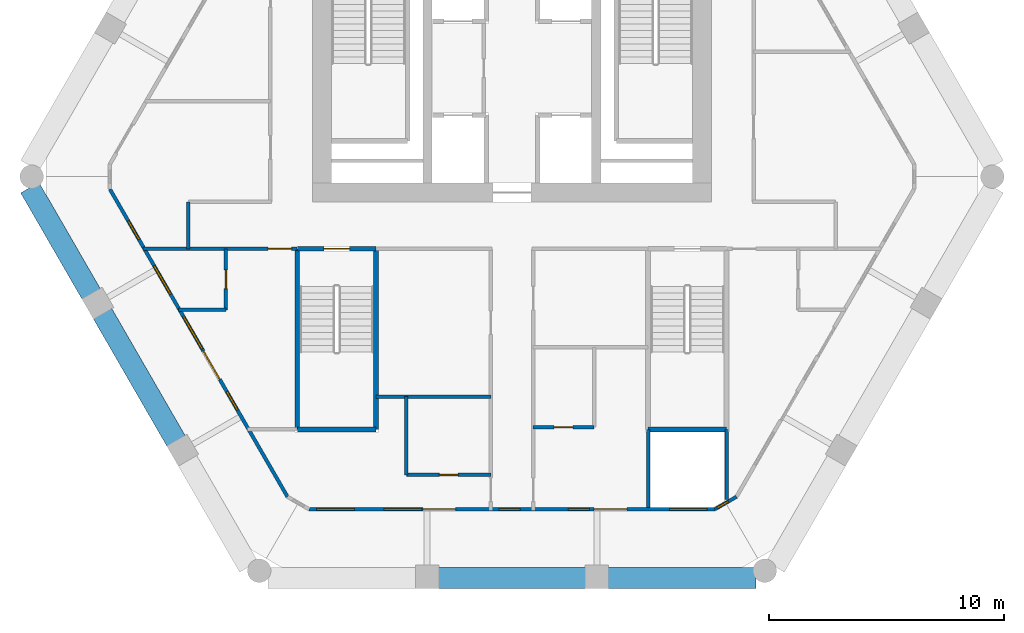
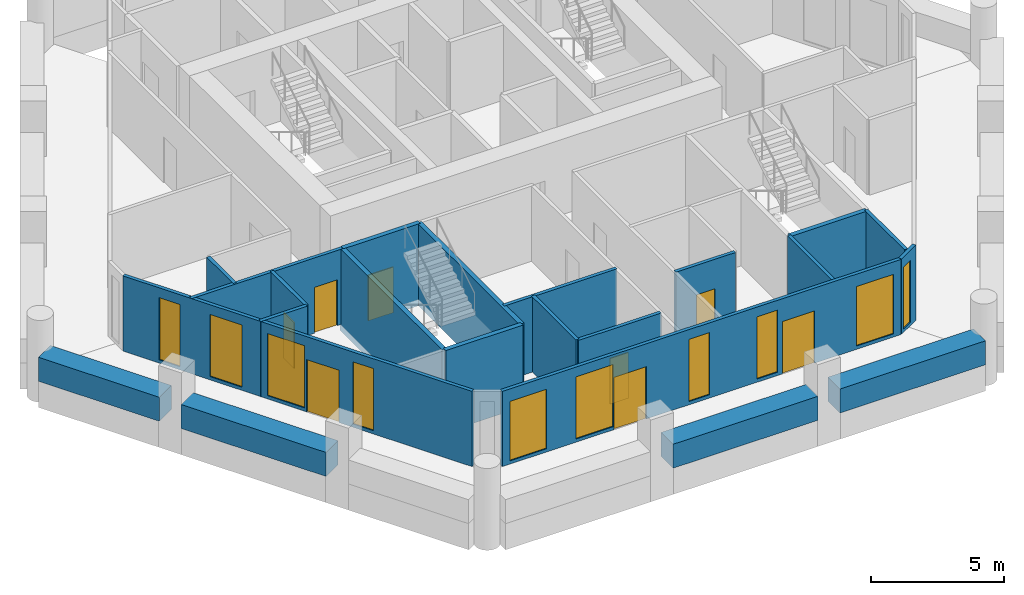
# One storey, part 2 of 7: 22 walls, 10 windows, 8 doors, 18 openings.
"""IFC4 building model written with IfcOpenShell, lengths in metres."""

from ifc_helpers import new_model, si_unit, direction, frame, frame_2d, origin, place, context, subcontext, project, spatial, rectangle, extrude, material, layer, layer_set, type_object, element, fill, save


model = new_model("IFC4")

# Units and contexts
model_context = context("Model", 3, precision=1e-05, world=origin(), true_north=direction((0.0, 1.0)))
body_context = subcontext(model_context, "Body", "Model", "MODEL_VIEW")
ifc_project = project(units=[si_unit("LENGTHUNIT", "METRE"), si_unit("AREAUNIT", "SQUARE_METRE"), si_unit("VOLUMEUNIT", "CUBIC_METRE"), si_unit("PLANEANGLEUNIT", "RADIAN"), si_unit("MASSUNIT", "GRAM", prefix="KILO")], contexts=[model_context])

# Site, building, storey
site_placement = place(None, origin())
site = spatial("IfcSite", under=ifc_project, at=site_placement, CompositionType="ELEMENT")
building_placement = place(site_placement, origin())
building = spatial("IfcBuilding", under=site, at=building_placement, Name="Ostrander Bayou Hotel Tower", CompositionType="ELEMENT")
storey_placement = place(building_placement, frame((0.0, 0.0, 179.5)))
storey = spatial("IfcBuildingStorey", under=building, at=storey_placement, Name="L44", CompositionType="ELEMENT", Elevation=179.5)

# Wall, openings, door, windows
ifc_material_1 = material(Name="Aluminium framed insulated wall", Category="aluminium")
ifc_layer_1 = layer(ifc_material_1, 0.14990234375)
ifc_layer_set_1 = layer_set([ifc_layer_1], Name="GW1 glass-line wall 150 mm")
wall_type_1 = type_object("IfcWallType", Name="GW1 glass-line wall 150 mm", PredefinedType="SOLIDWALL", material=ifc_layer_set_1)
wall_1_placement = place(storey_placement, frame((-17.144775390625, -1.154296875, 0.0), z_axis=(0.0, 0.0, 1.0), x_axis=(0.500005248668, -0.866022373443, 0.0)))
wall_1 = element("IfcWall", 1, at=wall_1_placement, inside=storey, type_object=wall_type_1, Name="GW1 L44 SW 1", PredefinedType="SOLIDWALL", context=body_context, shape_type="SweptSolid", body=[
    extrude(rectangle(XDim=15.145263671875, YDim=0.14990234375, at=frame_2d((7.57275390625, 0.0))), origin(), (0.0, 0.0, 1.0), 3.449951171875),
])
opening_1_placement = place(wall_1_placement, frame((1.57275390625, 0.0, 0.14990234375)))
opening_1 = element("IfcOpeningElement", 2, at=opening_1_placement, cuts=wall_1, Name="Opening W17", PredefinedType="OPENING", context=body_context, shape_type="SweptSolid", body=[
    extrude(rectangle(XDim=0.89990234375, YDim=2.85009765625, at=frame_2d((0.449951171875, 1.425048828125))), frame((0.0, 0.074951171875, 0.0), z_axis=(0.0, -1.0, 0.0), x_axis=(1.0, 0.0, 0.0)), (0.0, 0.0, 1.0), 0.14990234375),
])
opening_2_placement = place(wall_1_placement, frame((3.772705078125, 0.0, 0.14990234375)))
opening_2 = element("IfcOpeningElement", 3, at=opening_2_placement, cuts=wall_1, Name="Opening W13", PredefinedType="OPENING", context=body_context, shape_type="SweptSolid", body=[
    extrude(rectangle(XDim=1.39990234375, YDim=2.85009765625, at=frame_2d((0.699951171875, 1.425048828125))), frame((0.0, 0.074951171875, 0.0), z_axis=(0.0, -1.0, 0.0), x_axis=(1.0, 0.0, 0.0)), (0.0, 0.0, 1.0), 0.14990234375),
])
opening_3_placement = place(wall_1_placement, frame((6.265625, 0.0, 0.14990234375)))
opening_3 = element("IfcOpeningElement", 4, at=opening_3_placement, cuts=wall_1, Name="Opening W3", PredefinedType="OPENING", context=body_context, shape_type="SweptSolid", body=[
    extrude(rectangle(XDim=1.60009765625, YDim=2.85009765625, at=frame_2d((0.800048828125, 1.425048828125))), frame((0.0, 0.074951171875, 0.0), z_axis=(0.0, -1.0, 0.0), x_axis=(1.0, 0.0, 0.0)), (0.0, 0.0, 1.0), 0.14990234375),
])
opening_4_placement = place(wall_1_placement, frame((7.97265625, 0.0, 0.0)))
opening_4 = element("IfcOpeningElement", 5, at=opening_4_placement, cuts=wall_1, Name="Opening T44-801", PredefinedType="OPENING", context=body_context, shape_type="SweptSolid", body=[
    extrude(rectangle(XDim=1.39990234375, YDim=2.39990234375, at=frame_2d((0.699951171875, 1.199951171875))), frame((0.0, 0.074951171875, 0.0), z_axis=(0.0, -1.0, 0.0), x_axis=(1.0, 0.0, 0.0)), (0.0, 0.0, 1.0), 0.14990234375),
])
opening_5_placement = place(wall_1_placement, frame((9.97265625, 0.0, 0.14990234375)))
opening_5 = element("IfcOpeningElement", 6, at=opening_5_placement, cuts=wall_1, Name="Opening W17", PredefinedType="OPENING", context=body_context, shape_type="SweptSolid", body=[
    extrude(rectangle(XDim=0.89990234375, YDim=2.85009765625, at=frame_2d((0.449951171875, 1.425048828125))), frame((0.0, 0.074951171875, 0.0), z_axis=(0.0, -1.0, 0.0), x_axis=(1.0, 0.0, 0.0)), (0.0, 0.0, 1.0), 0.14990234375),
])
ifc_material_2 = material(Name="Aluminium and clear glass", Category="aluminium")
door_type_1 = type_object("IfcDoorType", Name="SD3 sliding glass door 1400 mm, zone 3", OperationType="SLIDING_TO_LEFT", PredefinedType="DOOR", material=ifc_material_2)
door_1_placement = place(opening_4_placement, origin())
door_1 = element("IfcDoor", 7, at=door_1_placement, inside=storey, type_object=door_type_1, Name="SD3 L44 SW 2", OperationType="SLIDING_TO_RIGHT", OverallHeight=2.39990234375, OverallWidth=1.39990234375, PredefinedType="DOOR", context=body_context, shape_type="SweptSolid", body=[
    extrude(rectangle(XDim=1.39990234375, YDim=2.39990234375, at=frame_2d((0.699951171875, 1.199951171875))), frame((0.0, 0.02490234375, 0.0), z_axis=(0.0, -1.0, 0.0), x_axis=(1.0, 0.0, 0.0)), (0.0, 0.0, 1.0), 0.050048828125),
])
fill(opening_4, door_1)
ifc_material_3 = material(Name="Aluminium and clear glass", Category="aluminium")
window_type_1 = type_object("IfcWindowType", Name="W13 fixed window 1400 mm, bath bay, zone 3", PartitioningType="SINGLE_PANEL", PredefinedType="WINDOW", material=ifc_material_3)
window_1_placement = place(opening_2_placement, origin())
window_1 = element("IfcWindow", 8, at=window_1_placement, inside=storey, type_object=window_type_1, Name="W13 L44 SW 1", OverallHeight=2.85009765625, OverallWidth=1.39990234375, PartitioningType="SINGLE_PANEL", PredefinedType="WINDOW", context=body_context, shape_type="SweptSolid", body=[
    extrude(rectangle(XDim=1.39990234375, YDim=2.85009765625, at=frame_2d((0.699951171875, 1.425048828125))), frame((0.0, 0.030029296875, 0.0), z_axis=(0.0, -1.0, 0.0), x_axis=(1.0, 0.0, 0.0)), (0.0, 0.0, 1.0), 0.06005859375),
])
fill(opening_2, window_1)
ifc_material_4 = material(Name="Aluminium and clear glass", Category="aluminium")
window_type_2 = type_object("IfcWindowType", Name="W17 window 900 mm, zone 3", PartitioningType="SINGLE_PANEL", PredefinedType="WINDOW", material=ifc_material_4)
window_2_placement = place(opening_1_placement, origin())
window_2 = element("IfcWindow", 9, at=window_2_placement, inside=storey, type_object=window_type_2, Name="W17 L44 SW 1", OverallHeight=2.85009765625, OverallWidth=0.89990234375, PartitioningType="SINGLE_PANEL", PredefinedType="WINDOW", context=body_context, shape_type="SweptSolid", body=[
    extrude(rectangle(XDim=0.89990234375, YDim=2.85009765625, at=frame_2d((0.449951171875, 1.425048828125))), frame((0.0, 0.030029296875, 0.0), z_axis=(0.0, -1.0, 0.0), x_axis=(1.0, 0.0, 0.0)), (0.0, 0.0, 1.0), 0.06005859375),
])
fill(opening_1, window_2)
window_3_placement = place(opening_5_placement, origin())
window_3 = element("IfcWindow", 10, at=window_3_placement, inside=storey, type_object=window_type_2, Name="W17 L44 SW 3", OverallHeight=2.85009765625, OverallWidth=0.89990234375, PartitioningType="SINGLE_PANEL", PredefinedType="WINDOW", context=body_context, shape_type="SweptSolid", body=[
    extrude(rectangle(XDim=0.89990234375, YDim=2.85009765625, at=frame_2d((0.449951171875, 1.425048828125))), frame((0.0, 0.030029296875, 0.0), z_axis=(0.0, -1.0, 0.0), x_axis=(1.0, 0.0, 0.0)), (0.0, 0.0, 1.0), 0.06005859375),
])
fill(opening_5, window_3)
ifc_material_5 = material(Name="Aluminium and clear glass", Category="aluminium")
window_type_3 = type_object("IfcWindowType", Name="W3 fixed window 1600 mm, zone 3", PartitioningType="SINGLE_PANEL", PredefinedType="WINDOW", material=ifc_material_5)
window_4_placement = place(opening_3_placement, origin())
window_4 = element("IfcWindow", 11, at=window_4_placement, inside=storey, type_object=window_type_3, Name="W3 L44 SW 2", OverallHeight=2.85009765625, OverallWidth=1.60009765625, PartitioningType="SINGLE_PANEL", PredefinedType="WINDOW", context=body_context, shape_type="SweptSolid", body=[
    extrude(rectangle(XDim=1.60009765625, YDim=2.85009765625, at=frame_2d((0.800048828125, 1.425048828125))), frame((0.0, 0.030029296875, 0.0), z_axis=(0.0, -1.0, 0.0), x_axis=(1.0, 0.0, 0.0)), (0.0, 0.0, 1.0), 0.06005859375),
])
fill(opening_3, window_4)

# Wall, openings, doors, windows
wall_2_placement = place(storey_placement, frame((-8.64990234375, -14.802978515625, 0.0), z_axis=(0.0, 0.0, 1.0), x_axis=(1.0, 0.0, 0.0)))
wall_2 = element("IfcWall", 12, at=wall_2_placement, inside=storey, type_object=wall_type_1, Name="GW1 L44 S 1", PredefinedType="SOLIDWALL", context=body_context, shape_type="SweptSolid", body=[
    extrude(rectangle(XDim=17.2998046875, YDim=0.14990234375, at=frame_2d((8.64990234375, 0.0))), origin(), (0.0, 0.0, 1.0), 3.449951171875),
])
opening_6_placement = place(wall_2_placement, frame((3.19970703125, 0.0, 0.14990234375)))
opening_6 = element("IfcOpeningElement", 13, at=opening_6_placement, cuts=wall_2, Name="Opening W3", PredefinedType="OPENING", context=body_context, shape_type="SweptSolid", body=[
    extrude(rectangle(XDim=1.60009765625, YDim=2.85009765625, at=frame_2d((0.800048828125, 1.425048828125))), frame((0.0, 0.074951171875, 0.0), z_axis=(0.0, -1.0, 0.0), x_axis=(1.0, 0.0, 0.0)), (0.0, 0.0, 1.0), 0.14990234375),
])
opening_7_placement = place(wall_2_placement, frame((4.849853515625, 0.0, 0.0)))
opening_7 = element("IfcOpeningElement", 14, at=opening_7_placement, cuts=wall_2, Name="Opening T44-802", PredefinedType="OPENING", context=body_context, shape_type="SweptSolid", body=[
    extrude(rectangle(XDim=1.39990234375, YDim=2.39990234375, at=frame_2d((0.699951171875, 1.199951171875))), frame((0.0, 0.074951171875, 0.0), z_axis=(0.0, -1.0, 0.0), x_axis=(1.0, 0.0, 0.0)), (0.0, 0.0, 1.0), 0.14990234375),
])
opening_8_placement = place(wall_2_placement, frame((8.099853515625, 0.0, 0.14990234375)))
opening_8 = element("IfcOpeningElement", 15, at=opening_8_placement, cuts=wall_2, Name="Opening W17", PredefinedType="OPENING", context=body_context, shape_type="SweptSolid", body=[
    extrude(rectangle(XDim=0.89990234375, YDim=2.85009765625, at=frame_2d((0.449951171875, 1.425048828125))), frame((0.0, 0.074951171875, 0.0), z_axis=(0.0, -1.0, 0.0), x_axis=(1.0, 0.0, 0.0)), (0.0, 0.0, 1.0), 0.14990234375),
])
opening_9_placement = place(wall_2_placement, frame((11.0498046875, 0.0, 0.14990234375)))
opening_9 = element("IfcOpeningElement", 16, at=opening_9_placement, cuts=wall_2, Name="Opening W17", PredefinedType="OPENING", context=body_context, shape_type="SweptSolid", body=[
    extrude(rectangle(XDim=0.89990234375, YDim=2.85009765625, at=frame_2d((0.449951171875, 1.425048828125))), frame((0.0, 0.074951171875, 0.0), z_axis=(0.0, -1.0, 0.0), x_axis=(1.0, 0.0, 0.0)), (0.0, 0.0, 1.0), 0.14990234375),
])
opening_10_placement = place(wall_2_placement, frame((12.14990234375, 0.0, 0.0)))
opening_10 = element("IfcOpeningElement", 17, at=opening_10_placement, cuts=wall_2, Name="Opening T44-803", PredefinedType="OPENING", context=body_context, shape_type="SweptSolid", body=[
    extrude(rectangle(XDim=1.39990234375, YDim=2.39990234375, at=frame_2d((0.699951171875, 1.199951171875))), frame((0.0, 0.074951171875, 0.0), z_axis=(0.0, -1.0, 0.0), x_axis=(1.0, 0.0, 0.0)), (0.0, 0.0, 1.0), 0.14990234375),
])
opening_11_placement = place(wall_2_placement, frame((0.324951171875, 0.0, 0.14990234375)))
opening_11 = element("IfcOpeningElement", 18, at=opening_11_placement, cuts=wall_2, Name="Opening W3", PredefinedType="OPENING", context=body_context, shape_type="SweptSolid", body=[
    extrude(rectangle(XDim=1.60009765625, YDim=2.72998046875, at=frame_2d((0.800048828125, 1.364990234375))), frame((0.0, 0.074951171875, 0.0), z_axis=(0.0, -1.0, 0.0), x_axis=(1.0, 0.0, 0.0)), (0.0, 0.0, 1.0), 0.14990234375),
])
opening_12_placement = place(wall_2_placement, frame((15.374755859375, 0.0, 0.14990234375)))
opening_12 = element("IfcOpeningElement", 19, at=opening_12_placement, cuts=wall_2, Name="Opening W3", PredefinedType="OPENING", context=body_context, shape_type="SweptSolid", body=[
    extrude(rectangle(XDim=1.60009765625, YDim=2.72998046875, at=frame_2d((0.800048828125, 1.364990234375))), frame((0.0, 0.074951171875, 0.0), z_axis=(0.0, -1.0, 0.0), x_axis=(1.0, 0.0, 0.0)), (0.0, 0.0, 1.0), 0.14990234375),
])
door_2_placement = place(opening_7_placement, origin())
door_2 = element("IfcDoor", 20, at=door_2_placement, inside=storey, type_object=door_type_1, Name="SD3 L44 S 1", OperationType="SLIDING_TO_LEFT", OverallHeight=2.39990234375, OverallWidth=1.39990234375, PredefinedType="DOOR", context=body_context, shape_type="SweptSolid", body=[
    extrude(rectangle(XDim=1.39990234375, YDim=2.39990234375, at=frame_2d((0.699951171875, 1.199951171875))), frame((0.0, 0.02490234375, 0.0), z_axis=(0.0, -1.0, 0.0), x_axis=(1.0, 0.0, 0.0)), (0.0, 0.0, 1.0), 0.050048828125),
])
fill(opening_7, door_2)
door_3_placement = place(opening_10_placement, origin())
door_3 = element("IfcDoor", 21, at=door_3_placement, inside=storey, type_object=door_type_1, Name="SD3 L44 S 3", OperationType="SLIDING_TO_LEFT", OverallHeight=2.39990234375, OverallWidth=1.39990234375, PredefinedType="DOOR", context=body_context, shape_type="SweptSolid", body=[
    extrude(rectangle(XDim=1.39990234375, YDim=2.39990234375, at=frame_2d((0.699951171875, 1.199951171875))), frame((0.0, 0.02490234375, 0.0), z_axis=(0.0, -1.0, 0.0), x_axis=(1.0, 0.0, 0.0)), (0.0, 0.0, 1.0), 0.050048828125),
])
fill(opening_10, door_3)
window_5_placement = place(opening_8_placement, origin())
window_5 = element("IfcWindow", 22, at=window_5_placement, inside=storey, type_object=window_type_2, Name="W17 L44 S 2", OverallHeight=2.85009765625, OverallWidth=0.89990234375, PartitioningType="SINGLE_PANEL", PredefinedType="WINDOW", context=body_context, shape_type="SweptSolid", body=[
    extrude(rectangle(XDim=0.89990234375, YDim=2.85009765625, at=frame_2d((0.449951171875, 1.425048828125))), frame((0.0, 0.030029296875, 0.0), z_axis=(0.0, -1.0, 0.0), x_axis=(1.0, 0.0, 0.0)), (0.0, 0.0, 1.0), 0.06005859375),
])
fill(opening_8, window_5)
window_6_placement = place(opening_9_placement, origin())
window_6 = element("IfcWindow", 23, at=window_6_placement, inside=storey, type_object=window_type_2, Name="W17 L44 S 3", OverallHeight=2.85009765625, OverallWidth=0.89990234375, PartitioningType="SINGLE_PANEL", PredefinedType="WINDOW", context=body_context, shape_type="SweptSolid", body=[
    extrude(rectangle(XDim=0.89990234375, YDim=2.85009765625, at=frame_2d((0.449951171875, 1.425048828125))), frame((0.0, 0.030029296875, 0.0), z_axis=(0.0, -1.0, 0.0), x_axis=(1.0, 0.0, 0.0)), (0.0, 0.0, 1.0), 0.06005859375),
])
fill(opening_9, window_6)
window_7_placement = place(opening_6_placement, origin())
window_7 = element("IfcWindow", 24, at=window_7_placement, inside=storey, type_object=window_type_3, Name="W3 L44 S 1", OverallHeight=2.85009765625, OverallWidth=1.60009765625, PartitioningType="SINGLE_PANEL", PredefinedType="WINDOW", context=body_context, shape_type="SweptSolid", body=[
    extrude(rectangle(XDim=1.60009765625, YDim=2.85009765625, at=frame_2d((0.800048828125, 1.425048828125))), frame((0.0, 0.030029296875, 0.0), z_axis=(0.0, -1.0, 0.0), x_axis=(1.0, 0.0, 0.0)), (0.0, 0.0, 1.0), 0.06005859375),
])
fill(opening_6, window_7)
window_8_placement = place(opening_11_placement, origin())
window_8 = element("IfcWindow", 25, at=window_8_placement, inside=storey, type_object=window_type_3, Name="W3 L44 S E11", OverallHeight=2.72998046875, OverallWidth=1.60009765625, PartitioningType="SINGLE_PANEL", PredefinedType="WINDOW", context=body_context, shape_type="SweptSolid", body=[
    extrude(rectangle(XDim=1.60009765625, YDim=2.72998046875, at=frame_2d((0.800048828125, 1.364990234375))), frame((0.0, 0.030029296875, 0.0), z_axis=(0.0, -1.0, 0.0), x_axis=(1.0, 0.0, 0.0)), (0.0, 0.0, 1.0), 0.06005859375),
])
fill(opening_11, window_8)
window_9_placement = place(opening_12_placement, origin())
window_9 = element("IfcWindow", 26, at=window_9_placement, inside=storey, type_object=window_type_3, Name="W3 L44 S E21", OverallHeight=2.72998046875, OverallWidth=1.60009765625, PartitioningType="SINGLE_PANEL", PredefinedType="WINDOW", context=body_context, shape_type="SweptSolid", body=[
    extrude(rectangle(XDim=1.60009765625, YDim=2.72998046875, at=frame_2d((0.800048828125, 1.364990234375))), frame((0.0, 0.030029296875, 0.0), z_axis=(0.0, -1.0, 0.0), x_axis=(1.0, 0.0, 0.0)), (0.0, 0.0, 1.0), 0.06005859375),
])
fill(opening_12, window_9)

# Wall, opening, window
wall_3_placement = place(storey_placement, frame((8.64990234375, -14.802978515625, 0.0), z_axis=(0.0, 0.0, 1.0), x_axis=(0.865990848561, 0.500059846627, 0.0)))
wall_3 = element("IfcWall", 27, at=wall_3_placement, inside=storey, type_object=wall_type_1, Name="GW1 L44 corner 4", PredefinedType="SOLIDWALL", context=body_context, shape_type="SweptSolid", body=[
    extrude(rectangle(XDim=1.064697265625, YDim=0.14990234375, at=frame_2d((0.5322265625, 0.0))), origin(), (0.0, 0.0, 1.0), 3.449951171875),
])
opening_13_placement = place(wall_3_placement, frame((0.1201171875, 0.0, 0.14990234375)))
opening_13 = element("IfcOpeningElement", 28, at=opening_13_placement, cuts=wall_3, Name="Opening W19", PredefinedType="OPENING", context=body_context, shape_type="SweptSolid", body=[
    extrude(rectangle(XDim=0.550048828125, YDim=2.85009765625, at=frame_2d((0.27490234375, 1.425048828125))), frame((0.0, 0.074951171875, 0.0), z_axis=(0.0, -1.0, 0.0), x_axis=(1.0, 0.0, 0.0)), (0.0, 0.0, 1.0), 0.14990234375),
])
ifc_material_6 = material(Name="Aluminium and clear glass", Category="aluminium")
window_type_4 = type_object("IfcWindowType", Name="W19 corner window 550 mm", PartitioningType="SINGLE_PANEL", PredefinedType="WINDOW", material=ifc_material_6)
window_10_placement = place(opening_13_placement, origin())
window_10 = element("IfcWindow", 29, at=window_10_placement, inside=storey, type_object=window_type_4, Name="W19 L44 corner 4", OverallHeight=2.85009765625, OverallWidth=0.550048828125, PartitioningType="SINGLE_PANEL", PredefinedType="WINDOW", context=body_context, shape_type="SweptSolid", body=[
    extrude(rectangle(XDim=0.550048828125, YDim=2.85009765625, at=frame_2d((0.27490234375, 1.425048828125))), frame((0.0, 0.030029296875, 0.0), z_axis=(0.0, -1.0, 0.0), x_axis=(1.0, 0.0, 0.0)), (0.0, 0.0, 1.0), 0.06005859375),
])
fill(opening_13, window_10)

# Walls
ifc_material_7 = material(Name="Concrete f'c 40 MPa", Category="concrete")
ifc_layer_2 = layer(ifc_material_7, 0.89990234375)
ifc_layer_set_2 = layer_set([ifc_layer_2], Name="PA1 stone-faced parapet 900 mm")
wall_type_2 = type_object("IfcWallType", Name="PA1 stone-faced parapet 900 mm", PredefinedType="PARAPET", material=ifc_layer_set_2)
wall_4_placement = place(storey_placement, frame((-3.148193359375, -17.72802734375, 0.0), z_axis=(0.0, 0.0, 1.0), x_axis=(1.0, 0.0, 0.0)))
element("IfcWall", 30, at=wall_4_placement, inside=storey, type_object=wall_type_2, Name="PA1 L44 S-2", PredefinedType="PARAPET", context=body_context, shape_type="SweptSolid", body=[
    extrude(rectangle(XDim=6.29638671875, YDim=0.89990234375, at=frame_2d((3.148193359375, 0.0))), origin(), (0.0, 0.0, 1.0), 1.10009765625),
])
wall_5_placement = place(storey_placement, frame((4.088134765625, -17.72802734375, 0.0), z_axis=(0.0, 0.0, 1.0), x_axis=(1.0, 0.0, 0.0)))
element("IfcWall", 31, at=wall_5_placement, inside=storey, type_object=wall_type_2, Name="PA1 L44 S-3", PredefinedType="PARAPET", context=body_context, shape_type="SweptSolid", body=[
    extrude(rectangle(XDim=6.32275390625, YDim=0.89990234375, at=frame_2d((3.161376953125, 0.0))), origin(), (0.0, 0.0, 1.0), 1.10009765625),
])
ifc_material_8 = material(Name="Limestone masonry", Category="masonry")
ifc_layer_3 = layer(ifc_material_8, 0.89990234375)
ifc_layer_set_3 = layer_set([ifc_layer_3], Name="PA2 limestone parapet 900 mm")
wall_type_3 = type_object("IfcWallType", Name="PA2 limestone parapet 900 mm", PredefinedType="PARAPET", material=ifc_layer_set_3)
wall_6_placement = place(storey_placement, frame((-20.55859375, -1.091552734375, 0.0), z_axis=(0.0, 0.0, 1.0), x_axis=(0.500023253097, -0.866011978186, 0.0)))
element("IfcWall", 32, at=wall_6_placement, inside=storey, type_object=wall_type_3, Name="PA2 L44 SW-1", PredefinedType="PARAPET", context=body_context, shape_type="SweptSolid", body=[
    extrude(rectangle(XDim=5.245849609375, YDim=0.89990234375, at=frame_2d((2.623046875, 0.0))), origin(), (0.0, 0.0, 1.0), 1.10009765625),
])
wall_7_placement = place(storey_placement, frame((-17.465576171875, -6.44873046875, 0.0), z_axis=(0.0, 0.0, 1.0), x_axis=(0.500013351051, -0.866017695414, 0.0)))
element("IfcWall", 33, at=wall_7_placement, inside=storey, type_object=wall_type_3, Name="PA2 L44 SW-2", PredefinedType="PARAPET", context=body_context, shape_type="SweptSolid", body=[
    extrude(rectangle(XDim=6.296142578125, YDim=0.89990234375, at=frame_2d((3.14794921875, 0.0))), origin(), (0.0, 0.0, 1.0), 1.10009765625),
])
ifc_material_9 = material(Name="Gypsum board partition", Category="finish")
ifc_layer_4 = layer(ifc_material_9, 0.14990234375)
ifc_layer_set_4 = layer_set([ifc_layer_4], Name="PT7 riser wall 150 mm, 2 hour")
wall_type_4 = type_object("IfcWallType", Name="PT7 riser wall 150 mm, 2 hour", PredefinedType="PARTITIONING", material=ifc_layer_set_4)
wall_8_placement = place(storey_placement, frame((5.800048828125, -11.39990234375, 0.0), z_axis=(0.0, 0.0, 1.0), x_axis=(0.0, -1.0, 0.0)))
element("IfcWall", 34, at=wall_8_placement, inside=storey, type_object=wall_type_4, Name="cs:L44:019", PredefinedType="PARTITIONING", context=body_context, shape_type="SweptSolid", body=[
    extrude(rectangle(XDim=3.328125, YDim=0.14990234375, at=frame_2d((1.6640625, 0.0))), origin(), (0.0, 0.0, 1.0), 3.449951171875),
])
wall_9_placement = place(storey_placement, frame((9.14990234375, -11.39990234375, 0.0), z_axis=(0.0, 0.0, 1.0), x_axis=(0.0, -1.0, 0.0)))
element("IfcWall", 35, at=wall_9_placement, inside=storey, type_object=wall_type_4, Name="cs:L44:020", PredefinedType="PARTITIONING", context=body_context, shape_type="SweptSolid", body=[
    extrude(rectangle(XDim=2.99609375, YDim=0.14990234375, at=frame_2d((1.498046875, 0.0))), origin(), (0.0, 0.0, 1.0), 3.449951171875),
])

# Wall, opening, door
ifc_material_10 = material(Name="Gypsum board partition", Category="finish")
ifc_layer_5 = layer(ifc_material_10, 0.14990234375)
ifc_layer_set_5 = layer_set([ifc_layer_5], Name="PT8 service band wall 150 mm, 1 hour")
wall_type_5 = type_object("IfcWallType", Name="PT8 service band wall 150 mm, 1 hour", PredefinedType="PARTITIONING", material=ifc_layer_set_5)
wall_10_placement = place(storey_placement, frame((-4.5, -13.340087890625, 0.0), z_axis=(0.0, 0.0, 1.0), x_axis=(1.0, 0.0, 0.0)))
wall_10 = element("IfcWall", 36, at=wall_10_placement, inside=storey, type_object=wall_type_5, Name="gw:L44:001", PredefinedType="PARTITIONING", context=body_context, shape_type="SweptSolid", body=[
    extrude(rectangle(XDim=3.60009765625, YDim=0.14990234375, at=frame_2d((1.800048828125, 0.0))), origin(), (0.0, 0.0, 1.0), 3.449951171875),
])
opening_14_placement = place(wall_10_placement, frame((1.39990234375, 0.0, 0.0)))
opening_14 = element("IfcOpeningElement", 37, at=opening_14_placement, cuts=wall_10, Name="Opening T44-404", PredefinedType="OPENING", context=body_context, shape_type="SweptSolid", body=[
    extrude(rectangle(XDim=0.800048828125, YDim=2.10009765625, at=frame_2d((0.39990234375, 1.050048828125))), frame((0.0, 0.074951171875, 0.0), z_axis=(0.0, -1.0, 0.0), x_axis=(1.0, 0.0, 0.0)), (0.0, 0.0, 1.0), 0.14990234375),
])
ifc_material_11 = material(Name="Timber door leaf", Category="wood")
door_type_2 = type_object("IfcDoorType", Name="D2 bathroom door 800 x 2100 mm", OperationType="SINGLE_SWING_LEFT", PredefinedType="DOOR", material=ifc_material_11)
door_4_placement = place(opening_14_placement, origin())
door_4 = element("IfcDoor", 38, at=door_4_placement, inside=storey, type_object=door_type_2, Name="dr:L44:404", OperationType="SINGLE_SWING_RIGHT", OverallHeight=2.10009765625, OverallWidth=0.800048828125, PredefinedType="DOOR", context=body_context, shape_type="SweptSolid", body=[
    extrude(rectangle(XDim=0.800048828125, YDim=2.10009765625, at=frame_2d((0.39990234375, 1.050048828125))), frame((0.0, 0.02490234375, 0.0), z_axis=(0.0, -1.0, 0.0), x_axis=(1.0, 0.0, 0.0)), (0.0, 0.0, 1.0), 0.050048828125),
])
fill(opening_14, door_4)

wall_11_placement = place(storey_placement, frame((0.89990234375, -11.300048828125, 0.0), z_axis=(0.0, 0.0, 1.0), x_axis=(1.0, 0.0, 0.0)))
wall_11 = element("IfcWall", 39, at=wall_11_placement, inside=storey, type_object=wall_type_5, Name="gw:L44:003", PredefinedType="PARTITIONING", context=body_context, shape_type="SweptSolid", body=[
    extrude(rectangle(XDim=2.60009765625, YDim=0.14990234375, at=frame_2d((1.300048828125, 0.0))), origin(), (0.0, 0.0, 1.0), 3.449951171875),
])
opening_15_placement = place(wall_11_placement, frame((0.89990234375, 0.0, 0.0)))
opening_15 = element("IfcOpeningElement", 40, at=opening_15_placement, cuts=wall_11, Name="Opening T44-407", PredefinedType="OPENING", context=body_context, shape_type="SweptSolid", body=[
    extrude(rectangle(XDim=0.800048828125, YDim=2.10009765625, at=frame_2d((0.39990234375, 1.050048828125))), frame((0.0, 0.074951171875, 0.0), z_axis=(0.0, -1.0, 0.0), x_axis=(1.0, 0.0, 0.0)), (0.0, 0.0, 1.0), 0.14990234375),
])
door_5_placement = place(opening_15_placement, origin())
door_5 = element("IfcDoor", 41, at=door_5_placement, inside=storey, type_object=door_type_2, Name="dr:L44:407", OperationType="SINGLE_SWING_LEFT", OverallHeight=2.10009765625, OverallWidth=0.800048828125, PredefinedType="DOOR", context=body_context, shape_type="SweptSolid", body=[
    extrude(rectangle(XDim=0.800048828125, YDim=2.10009765625, at=frame_2d((0.39990234375, 1.050048828125))), frame((0.0, 0.02490234375, 0.0), z_axis=(0.0, -1.0, 0.0), x_axis=(1.0, 0.0, 0.0)), (0.0, 0.0, 1.0), 0.050048828125),
])
fill(opening_15, door_5)

# Walls
wall_12_placement = place(storey_placement, frame((-5.7900390625, -10.0, 0.0), z_axis=(0.0, 0.0, 1.0), x_axis=(1.0, 0.0, 0.0)))
element("IfcWall", 42, at=wall_12_placement, inside=storey, type_object=wall_type_5, Name="gw:L44:004", PredefinedType="PARTITIONING", context=body_context, shape_type="SweptSolid", body=[
    extrude(rectangle(XDim=4.89013671875, YDim=0.14990234375, at=frame_2d((2.445068359375, 0.0))), origin(), (0.0, 0.0, 1.0), 3.449951171875),
])
wall_13_placement = place(storey_placement, frame((-14.22607421875, -6.300048828125, 0.0), z_axis=(0.0, 0.0, 1.0), x_axis=(1.0, 0.0, 0.0)))
element("IfcWall", 43, at=wall_13_placement, inside=storey, type_object=wall_type_5, Name="gw:L44:006", PredefinedType="PARTITIONING", context=body_context, shape_type="SweptSolid", body=[
    extrude(rectangle(XDim=2.031005859375, YDim=0.14990234375, at=frame_2d((1.015625, 0.0))), origin(), (0.0, 0.0, 1.0), 3.449951171875),
])

# Wall, opening, door
wall_14_placement = place(storey_placement, frame((-15.72705078125, -3.699951171875, 0.0), z_axis=(0.0, 0.0, 1.0), x_axis=(1.0, 0.0, 0.0)))
wall_14 = element("IfcWall", 44, at=wall_14_placement, inside=storey, type_object=wall_type_5, Name="gw:L44:008", PredefinedType="PARTITIONING", context=body_context, shape_type="SweptSolid", body=[
    extrude(rectangle(XDim=6.567138671875, YDim=0.14990234375, at=frame_2d((3.28369140625, 0.0))), origin(), (0.0, 0.0, 1.0), 3.449951171875),
])
opening_16_placement = place(wall_14_placement, frame((5.326904296875, 0.0, 0.0)))
opening_16 = element("IfcOpeningElement", 45, at=opening_16_placement, cuts=wall_14, Name="Opening T44-400", PredefinedType="OPENING", context=body_context, shape_type="SweptSolid", body=[
    extrude(rectangle(XDim=1.0, YDim=2.10009765625, at=frame_2d((0.5, 1.050048828125))), frame((0.0, 0.074951171875, 0.0), z_axis=(0.0, -1.0, 0.0), x_axis=(1.0, 0.0, 0.0)), (0.0, 0.0, 1.0), 0.14990234375),
])
ifc_material_12 = material(Name="Timber door leaf", Category="wood")
door_type_3 = type_object("IfcDoorType", Name="D1 guest room door 1000 x 2100 mm, 30 minute", OperationType="SINGLE_SWING_LEFT", PredefinedType="DOOR", material=ifc_material_12)
door_6_placement = place(opening_16_placement, origin())
door_6 = element("IfcDoor", 46, at=door_6_placement, inside=storey, type_object=door_type_3, Name="dr:L44:400", OperationType="SINGLE_SWING_RIGHT", OverallHeight=2.10009765625, OverallWidth=1.0, PredefinedType="DOOR", context=body_context, shape_type="SweptSolid", body=[
    extrude(rectangle(XDim=1.0, YDim=2.10009765625, at=frame_2d((0.5, 1.050048828125))), frame((0.0, 0.02490234375, 0.0), z_axis=(0.0, -1.0, 0.0), x_axis=(1.0, 0.0, 0.0)), (0.0, 0.0, 1.0), 0.050048828125),
])
fill(opening_16, door_6)

# Wall
wall_15_placement = place(storey_placement, frame((-4.5, -13.340087890625, 0.0), z_axis=(0.0, 0.0, 1.0), x_axis=(0.0, 1.0, 0.0)))
element("IfcWall", 47, at=wall_15_placement, inside=storey, type_object=wall_type_5, Name="gw:L44:027", PredefinedType="PARTITIONING", context=body_context, shape_type="SweptSolid", body=[
    extrude(rectangle(XDim=3.340087890625, YDim=0.14990234375, at=frame_2d((1.669921875, 0.0))), origin(), (0.0, 0.0, 1.0), 3.449951171875),
])

# Wall, opening, door
wall_16_placement = place(storey_placement, frame((-12.195068359375, -6.300048828125, 0.0), z_axis=(0.0, 0.0, 1.0), x_axis=(0.0, 1.0, 0.0)))
wall_16 = element("IfcWall", 48, at=wall_16_placement, inside=storey, type_object=wall_type_5, Name="gw:L44:030", PredefinedType="PARTITIONING", context=body_context, shape_type="SweptSolid", body=[
    extrude(rectangle(XDim=2.60009765625, YDim=0.14990234375, at=frame_2d((1.300048828125, 0.0))), origin(), (0.0, 0.0, 1.0), 3.449951171875),
])
opening_17_placement = place(wall_16_placement, frame((0.89990234375, 0.0, 0.0)))
opening_17 = element("IfcOpeningElement", 49, at=opening_17_placement, cuts=wall_16, Name="Opening T44-401", PredefinedType="OPENING", context=body_context, shape_type="SweptSolid", body=[
    extrude(rectangle(XDim=0.800048828125, YDim=2.10009765625, at=frame_2d((0.39990234375, 1.050048828125))), frame((0.0, 0.074951171875, 0.0), z_axis=(0.0, -1.0, 0.0), x_axis=(1.0, 0.0, 0.0)), (0.0, 0.0, 1.0), 0.14990234375),
])
door_7_placement = place(opening_17_placement, origin())
door_7 = element("IfcDoor", 50, at=door_7_placement, inside=storey, type_object=door_type_2, Name="dr:L44:401", OperationType="SINGLE_SWING_RIGHT", OverallHeight=2.10009765625, OverallWidth=0.800048828125, PredefinedType="DOOR", context=body_context, shape_type="SweptSolid", body=[
    extrude(rectangle(XDim=0.800048828125, YDim=2.10009765625, at=frame_2d((0.39990234375, 1.050048828125))), frame((0.0, 0.02490234375, 0.0), z_axis=(0.0, -1.0, 0.0), x_axis=(1.0, 0.0, 0.0)), (0.0, 0.0, 1.0), 0.050048828125),
])
fill(opening_17, door_7)

# Walls
wall_17_placement = place(storey_placement, frame((-13.800048828125, -3.699951171875, 0.0), z_axis=(0.0, 0.0, 1.0), x_axis=(0.0, 1.0, 0.0)))
element("IfcWall", 51, at=wall_17_placement, inside=storey, type_object=wall_type_5, Name="gw:L44:031", PredefinedType="PARTITIONING", context=body_context, shape_type="SweptSolid", body=[
    extrude(rectangle(XDim=2.0, YDim=0.14990234375, at=frame_2d((1.0, 0.0))), origin(), (0.0, 0.0, 1.0), 3.449951171875),
])
ifc_material_13 = material(Name="Concrete f'c 45 MPa", Category="concrete")
ifc_layer_6 = layer(ifc_material_13, 0.199951171875)
ifc_layer_set_6 = layer_set([ifc_layer_6], Name="SW5 stair enclosure wall 200 mm f'c 45 MPa")
wall_type_6 = type_object("IfcWallType", Name="SW5 stair enclosure wall 200 mm f'c 45 MPa", PredefinedType="SOLIDWALL", material=ifc_layer_set_6)
wall_18_placement = place(storey_placement, frame((5.800048828125, -11.39990234375, -0.300048828125), z_axis=(0.0, 0.0, 1.0), x_axis=(1.0, 0.0, 0.0)))
element("IfcWall", 52, at=wall_18_placement, inside=storey, type_object=wall_type_6, Name="cs:L44:018", PredefinedType="SOLIDWALL", context=body_context, shape_type="SweptSolid", body=[
    extrude(rectangle(XDim=3.349853515625, YDim=0.199951171875, at=frame_2d((1.6748046875, 0.0))), origin(), (0.0, 0.0, 1.0), 3.75),
])

# Wall, opening, door
wall_19_placement = place(storey_placement, frame((-9.14990234375, -3.699951171875, -0.300048828125), z_axis=(0.0, 0.0, 1.0), x_axis=(1.0, 0.0, 0.0)))
wall_19 = element("IfcWall", 53, at=wall_19_placement, inside=storey, type_object=wall_type_6, Name="cs:L44:021", PredefinedType="SOLIDWALL", context=body_context, shape_type="SweptSolid", body=[
    extrude(rectangle(XDim=3.349853515625, YDim=0.199951171875, at=frame_2d((1.6748046875, 0.0))), origin(), (0.0, 0.0, 1.0), 3.75),
])
opening_18_placement = place(wall_19_placement, frame((1.125, 0.0, 0.0)))
opening_18 = element("IfcOpeningElement", 54, at=opening_18_placement, cuts=wall_19, Name="Opening T44-012", PredefinedType="OPENING", context=body_context, shape_type="SweptSolid", body=[
    extrude(rectangle(XDim=1.10009765625, YDim=2.10009765625, at=frame_2d((0.550048828125, 1.050048828125))), frame((0.0, 0.10009765625, 0.0), z_axis=(0.0, -1.0, 0.0), x_axis=(1.0, 0.0, 0.0)), (0.0, 0.0, 1.0), 0.199951171875),
])
ifc_material_14 = material(Name="Timber door leaf", Category="wood")
door_type_4 = type_object("IfcDoorType", Name="D5 stair door 1100 x 2100 mm, 90 minute", OperationType="SINGLE_SWING_LEFT", PredefinedType="DOOR", material=ifc_material_14)
door_8_placement = place(opening_18_placement, origin())
door_8 = element("IfcDoor", 55, at=door_8_placement, inside=storey, type_object=door_type_4, Name="dr:L44:012", OperationType="SINGLE_SWING_LEFT", OverallHeight=2.10009765625, OverallWidth=1.10009765625, PredefinedType="DOOR", context=body_context, shape_type="SweptSolid", body=[
    extrude(rectangle(XDim=1.10009765625, YDim=2.10009765625, at=frame_2d((0.550048828125, 1.050048828125))), frame((0.0, 0.02490234375, 0.0), z_axis=(0.0, -1.0, 0.0), x_axis=(1.0, 0.0, 0.0)), (0.0, 0.0, 1.0), 0.050048828125),
])
fill(opening_18, door_8)

# Walls
for number, where, z_axis, x_axis, name in (
    (56, (-9.14990234375, -3.699951171875, -0.300048828125), (0.0, 0.0, 1.0), (0.0, -1.0, 0.0), "cs:L44:022"),
    (57, (-5.800048828125, -3.699951171875, -0.300048828125), (0.0, 0.0, 1.0), (0.0, -1.0, 0.0), "cs:L44:023"),
):
    element("IfcWall", number, at=place(storey_placement, frame(where, z_axis=z_axis, x_axis=x_axis)), inside=storey, type_object=wall_type_6, Name=name, PredefinedType="SOLIDWALL", context=body_context, shape_type="SweptSolid", body=[
        extrude(rectangle(XDim=7.699951171875, YDim=0.199951171875, at=frame_2d((3.85009765625, 0.0))), origin(), (0.0, 0.0, 1.0), 3.75),
    ])
wall_20_placement = place(storey_placement, frame((-9.14990234375, -11.39990234375, -0.300048828125), z_axis=(0.0, 0.0, 1.0), x_axis=(1.0, 0.0, 0.0)))
element("IfcWall", 58, at=wall_20_placement, inside=storey, type_object=wall_type_6, Name="cs:L44:024", PredefinedType="SOLIDWALL", context=body_context, shape_type="SweptSolid", body=[
    extrude(rectangle(XDim=3.349853515625, YDim=0.199951171875, at=frame_2d((1.6748046875, 0.0))), origin(), (0.0, 0.0, 1.0), 3.75),
])

save(model, "model.ifc")
